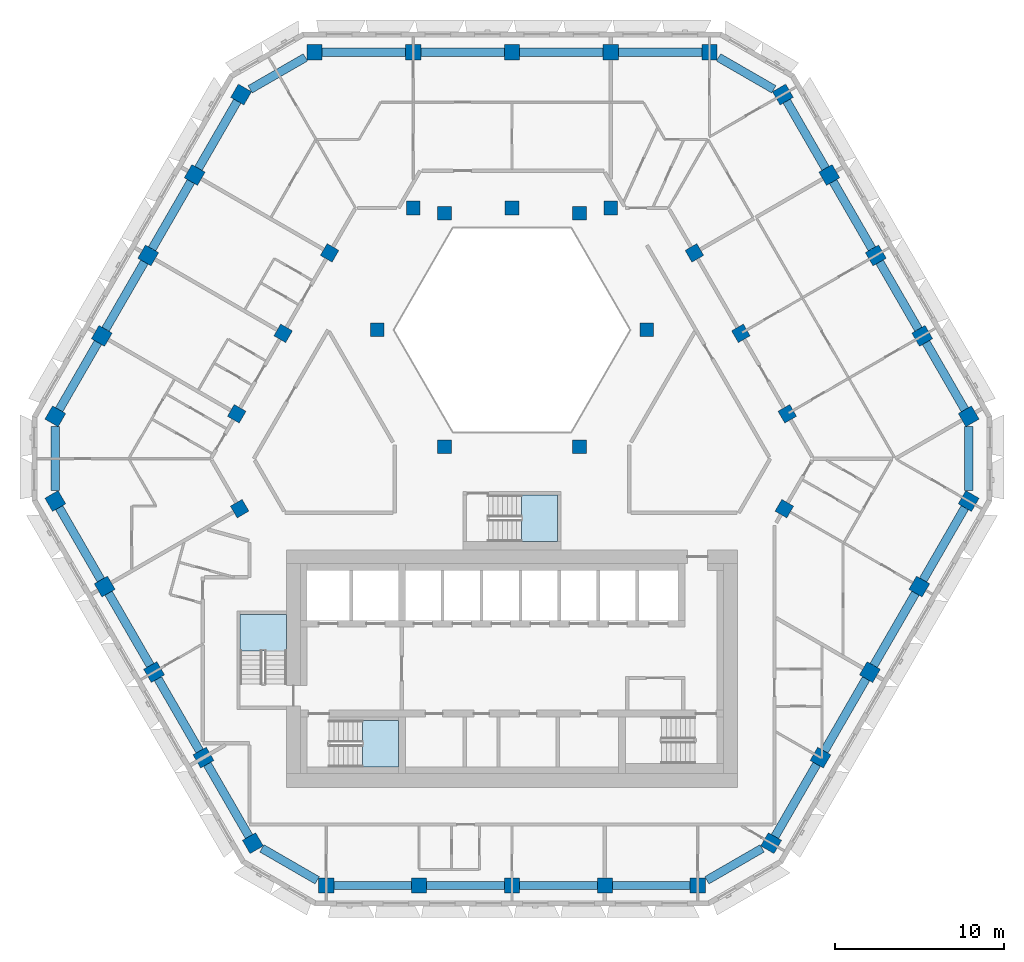
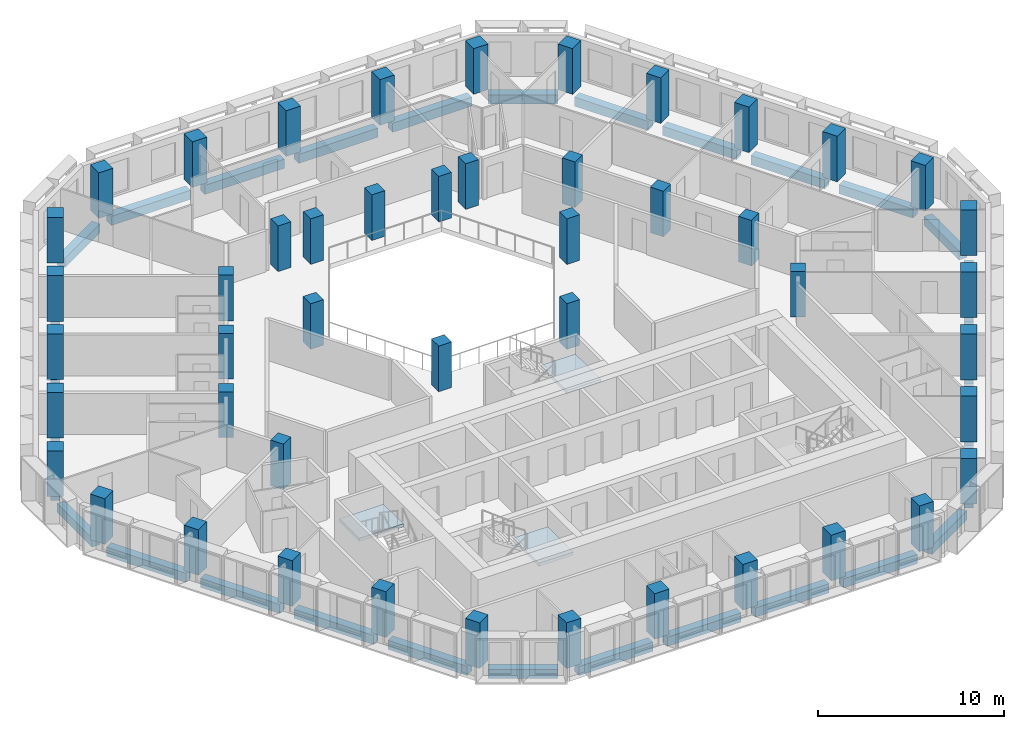
# One storey, part 1 of 17: 47 columns, 30 beams, 3 slabs, 3 elements without a shape of their own.
"""IFC4 building model written with IfcOpenShell, lengths in metres."""

from ifc_helpers import new_model, si_unit, direction, frame, origin, origin_2d, place, context, subcontext, project, spatial, polyline, rectangle, outline, extrude, material, layer, layer_set, material_profile, profile_set, type_object, element, aggregate, save


model = new_model("IFC4")

# Units and contexts
model_context = context("Model", 3, precision=1e-05, world=origin(), true_north=direction((0.0, 1.0)))
body_context = subcontext(model_context, "Body", "Model", "MODEL_VIEW")
ifc_project = project(units=[si_unit("LENGTHUNIT", "METRE"), si_unit("AREAUNIT", "SQUARE_METRE"), si_unit("VOLUMEUNIT", "CUBIC_METRE"), si_unit("PLANEANGLEUNIT", "RADIAN"), si_unit("MASSUNIT", "GRAM", prefix="KILO")], contexts=[model_context])

# Site, building, storey
site_placement = place(None, origin())
site = spatial("IfcSite", under=ifc_project, at=site_placement, CompositionType="ELEMENT")
building_placement = place(site_placement, origin())
building = spatial("IfcBuilding", under=site, at=building_placement, Name="Beryl Residences", CompositionType="ELEMENT")
storey_placement = place(building_placement, frame((0.0, 0.0, 126.60009765625)))
storey = spatial("IfcBuildingStorey", under=building, at=storey_placement, Name="L38", CompositionType="ELEMENT", Elevation=126.60009765625)

# Columns
ifc_material_1 = material(Name="Concrete C60/75", Category="concrete")
ifc_material_profile_1 = material_profile(ifc_material_1, rectangle(XDim=0.89990234375, YDim=0.89990234375, at=origin_2d()))
ifc_profile_set_1 = profile_set([ifc_material_profile_1], Name="Concrete C60/75")
column_type_1 = type_object("IfcColumnType", Name="C3 tube column 900 x 900 C60/75", PredefinedType="COLUMN", material=ifc_profile_set_1)
for number, where, z_axis, x_axis, name in (
    (1, (11.662109375, 24.39990234375, 0.0), (0.0, 0.0, 1.0), (-1.0, 0.0, 0.0), "C3-N1 L38"),
    (2, (5.8310546875, 24.39990234375, 0.0), (0.0, 0.0, 1.0), (-1.0, 0.0, 0.0), "C3-N2 L38"),
    (3, (0.0, 24.39990234375, 0.0), (0.0, 0.0, 1.0), (-1.0, 0.0, 0.0), "C3-N3 L38"),
    (4, (-5.8310546875, 24.39990234375, 0.0), (0.0, 0.0, 1.0), (-1.0, 0.0, 0.0), "C3-N4 L38"),
    (5, (-11.662109375, 24.39990234375, 0.0), (0.0, 0.0, 1.0), (-1.0, 0.0, 0.0), "C3-N5 L38"),
    (6, (-15.992919921875, 21.89990234375, 0.0), (0.0, 0.0, 1.0), (-0.5, -0.866025403784, 0.0), "C3-NW1 L38"),
    (7, (-18.735107421875, 17.14990234375, 0.0), (0.0, 0.0, 1.0), (-0.5, -0.866025403784, 0.0), "C3-NW2 L38"),
    (8, (-21.47802734375, 12.39990234375, 0.0), (0.0, 0.0, 1.0), (-0.5, -0.866025403784, 0.0), "C3-NW3 L38"),
    (9, (-24.219970703125, 7.64990234375, 0.0), (0.0, 0.0, 1.0), (-0.5, -0.866025403784, 0.0), "C3-NW4 L38"),
    (10, (-26.962890625, 2.89990234375, 0.0), (0.0, 0.0, 1.0), (-0.5, -0.866025403784, 0.0), "C3-NW5 L38"),
    (11, (-26.9619140625, -2.10009765625, 0.0), (0.0, 0.0, 1.0), (0.5, -0.866025403784, 0.0), "C3-SW1 L38"),
    (12, (-24.047119140625, -7.14892578125, 0.0), (0.0, 0.0, 1.0), (0.5, -0.866025403784, 0.0), "C3-SW2 L38"),
    (13, (-21.131103515625, -12.198974609375, 0.0), (0.0, 0.0, 1.0), (0.5, -0.866025403784, 0.0), "C3-SW3 L38"),
    (14, (-18.216064453125, -17.2490234375, 0.0), (0.0, 0.0, 1.0), (0.5, -0.866025403784, 0.0), "C3-SW4 L38"),
    (15, (-15.300048828125, -22.299072265625, 0.0), (0.0, 0.0, 1.0), (0.5, -0.866025403784, 0.0), "C3-SW5 L38"),
    (16, (-10.968994140625, -24.800048828125, 0.0), (0.0, 0.0, 1.0), (1.0, 0.0, 0.0), "C3-S1 L38"),
    (17, (-5.48388671875, -24.800048828125, 0.0), (0.0, 0.0, 1.0), (1.0, 0.0, 0.0), "C3-S2 L38"),
    (18, (0.0009765625, -24.800048828125, 0.0), (0.0, 0.0, 1.0), (1.0, 0.0, 0.0), "C3-S3 L38"),
    (19, (5.486083984375, -24.800048828125, 0.0), (0.0, 0.0, 1.0), (1.0, 0.0, 0.0), "C3-S4 L38"),
    (20, (10.970947265625, -24.800048828125, 0.0), (0.0, 0.0, 1.0), (1.0, 0.0, 0.0), "C3-S5 L38"),
    (21, (15.299072265625, -22.300048828125, 0.0), (0.0, 0.0, 1.0), (0.5, 0.866025403784, 0.0), "C3-SE1 L38"),
    (22, (18.215087890625, -17.2509765625, 0.0), (0.0, 0.0, 1.0), (0.5, 0.866025403784, 0.0), "C3-SE2 L38"),
    (23, (21.1298828125, -12.200927734375, 0.0), (0.0, 0.0, 1.0), (0.5, 0.866025403784, 0.0), "C3-SE3 L38"),
    (24, (24.0458984375, -7.15087890625, 0.0), (0.0, 0.0, 1.0), (0.5, 0.866025403784, 0.0), "C3-SE4 L38"),
    (25, (26.9609375, -2.10107421875, 0.0), (0.0, 0.0, 1.0), (0.5, 0.866025403784, 0.0), "C3-SE5 L38"),
    (26, (26.962890625, 2.89990234375, 0.0), (0.0, 0.0, 1.0), (-0.5, 0.866025403784, 0.0), "C3-NE1 L38"),
    (27, (24.219970703125, 7.64990234375, 0.0), (0.0, 0.0, 1.0), (-0.5, 0.866025403784, 0.0), "C3-NE2 L38"),
    (28, (21.47802734375, 12.39990234375, 0.0), (0.0, 0.0, 1.0), (-0.5, 0.866025403784, 0.0), "C3-NE3 L38"),
    (29, (18.735107421875, 17.14990234375, 0.0), (0.0, 0.0, 1.0), (-0.5, 0.866025403784, 0.0), "C3-NE4 L38"),
    (30, (15.992919921875, 21.89990234375, 0.0), (0.0, 0.0, 1.0), (-0.5, 0.866025403784, 0.0), "C3-NE5 L38"),
):
    element("IfcColumn", number, at=place(storey_placement, frame(where, z_axis=z_axis, x_axis=x_axis)), inside=storey, type_object=column_type_1, Name=name, PredefinedType="COLUMN", context=body_context, shape_type="SweptSolid", body=[
        extrude(rectangle(XDim=0.89990234375, YDim=0.89990234375, at=origin_2d()), origin(), (0.0, 0.0, 1.0), 3.0),
    ])
ifc_material_2 = material(Name="Concrete C60/75", Category="concrete")
ifc_material_profile_2 = material_profile(ifc_material_2, rectangle(XDim=0.800048828125, YDim=0.800048828125, at=origin_2d()))
ifc_profile_set_2 = profile_set([ifc_material_profile_2], Name="Concrete C60/75")
column_type_2 = type_object("IfcColumnType", Name="IC3 interior column 800 x 800 C60/75", PredefinedType="COLUMN", material=ifc_profile_set_2)
for number, where, z_axis, x_axis, name in (
    (31, (-16.0791015625, -2.549072265625, 0.0), (0.0, 0.0, 1.0), (0.5, -0.866025403784, 0.0), "IC3-M01 L38"),
    (32, (16.077880859375, -2.551025390625, 0.0), (0.0, 0.0, 1.0), (0.5, 0.866025403784, 0.0), "IC3-M02 L38"),
    (33, (16.2529296875, 3.050048828125, 0.0), (0.0, 0.0, 1.0), (-0.5, 0.866025403784, 0.0), "IC3-M03 L38"),
    (34, (3.98388671875, 1.10009765625, 0.0), (0.0, 0.0, 1.0), (1.0, 0.0, 0.0), "IC3-A04 L38"),
    (35, (13.510009765625, 7.800048828125, 0.0), (0.0, 0.0, 1.0), (-0.5, 0.866025403784, 0.0), "IC3-M05 L38"),
    (36, (7.967041015625, 8.0, 0.0), (0.0, 0.0, 1.0), (1.0, 0.0, 0.0), "IC3-A06 L38"),
    (37, (10.76806640625, 12.550048828125, 0.0), (0.0, 0.0, 1.0), (-0.5, 0.866025403784, 0.0), "IC3-M07 L38"),
    (38, (5.8310546875, 15.199951171875, 0.0), (0.0, 0.0, 1.0), (-1.0, 0.0, 0.0), "IC3-M08 L38"),
    (39, (3.98388671875, 14.89990234375, 0.0), (0.0, 0.0, 1.0), (1.0, 0.0, 0.0), "IC3-A09 L38"),
    (40, (0.0, 15.199951171875, 0.0), (0.0, 0.0, 1.0), (-1.0, 0.0, 0.0), "IC3-M10 L38"),
    (41, (-3.98388671875, 14.89990234375, 0.0), (0.0, 0.0, 1.0), (1.0, 0.0, 0.0), "IC3-A11 L38"),
    (42, (-5.8310546875, 15.199951171875, 0.0), (0.0, 0.0, 1.0), (-1.0, 0.0, 0.0), "IC3-M12 L38"),
    (43, (-10.76806640625, 12.550048828125, 0.0), (0.0, 0.0, 1.0), (-0.5, -0.866025403784, 0.0), "IC3-M13 L38"),
    (44, (-7.967041015625, 8.0, 0.0), (0.0, 0.0, 1.0), (1.0, 0.0, 0.0), "IC3-A14 L38"),
    (45, (-13.510009765625, 7.800048828125, 0.0), (0.0, 0.0, 1.0), (-0.5, -0.866025403784, 0.0), "IC3-M15 L38"),
    (46, (-3.98388671875, 1.10009765625, 0.0), (0.0, 0.0, 1.0), (1.0, 0.0, 0.0), "IC3-A16 L38"),
    (47, (-16.2529296875, 3.050048828125, 0.0), (0.0, 0.0, 1.0), (-0.5, -0.866025403784, 0.0), "IC3-M17 L38"),
):
    element("IfcColumn", number, at=place(storey_placement, frame(where, z_axis=z_axis, x_axis=x_axis)), inside=storey, type_object=column_type_2, Name=name, PredefinedType="COLUMN", context=body_context, shape_type="SweptSolid", body=[
        extrude(rectangle(XDim=0.800048828125, YDim=0.800048828125, at=origin_2d()), origin(), (0.0, 0.0, 1.0), 3.0),
    ])

# Beams
ifc_material_3 = material(Name="Concrete C60/75", Category="concrete")
ifc_material_profile_3 = material_profile(ifc_material_3, rectangle(XDim=0.5, YDim=0.60009765625, at=origin_2d()))
ifc_profile_set_3 = profile_set([ifc_material_profile_3], Name="Concrete C60/75")
beam_type = type_object("IfcBeamType", Name="SB3 spandrel beam 500 x 600 C60/75", PredefinedType="SPANDREL", material=ifc_profile_set_3)
beam_1_placement = place(storey_placement, frame((11.2119140625, 24.39990234375, -0.60009765625), z_axis=(-1.0, 0.0, 0.0), x_axis=(0.0, -1.0, 0.0)))
element("IfcBeam", 48, at=beam_1_placement, inside=storey, type_object=beam_type, Name="SB3 L38 N-0", PredefinedType="SPANDREL", context=body_context, shape_type="SweptSolid", body=[
    extrude(rectangle(XDim=0.5, YDim=0.60009765625, at=origin_2d()), origin(), (0.0, 0.0, 1.0), 4.930908203125),
])
for number, where, z_axis, x_axis, name in (
    (49, (5.381103515625, 24.39990234375, -0.60009765625), (-1.0, 0.0, 0.0), (0.0, -1.0, 0.0), "SB3 L38 N-1"),
    (50, (-0.449951171875, 24.39990234375, -0.60009765625), (-1.0, 0.0, 0.0), (0.0, -1.0, 0.0), "SB3 L38 N-2"),
):
    element("IfcBeam", number, at=place(storey_placement, frame(where, z_axis=z_axis, x_axis=x_axis)), inside=storey, type_object=beam_type, Name=name, PredefinedType="SPANDREL", context=body_context, shape_type="SweptSolid", body=[
        extrude(rectangle(XDim=0.5, YDim=0.60009765625, at=origin_2d()), origin(), (0.0, 0.0, 1.0), 4.93115234375),
    ])
beam_2_placement = place(storey_placement, frame((-6.281005859375, 24.39990234375, -0.60009765625), z_axis=(-1.0, 0.0, 0.0), x_axis=(0.0, -1.0, 0.0)))
element("IfcBeam", 51, at=beam_2_placement, inside=storey, type_object=beam_type, Name="SB3 L38 N-3", PredefinedType="SPANDREL", context=body_context, shape_type="SweptSolid", body=[
    extrude(rectangle(XDim=0.5, YDim=0.60009765625, at=origin_2d()), origin(), (0.0, 0.0, 1.0), 4.930908203125),
])
beam_3_placement = place(storey_placement, frame((-12.194091796875, 24.093017578125, -0.60009765625), z_axis=(-0.866040087317, -0.499974566514, 0.0), x_axis=(0.499974566514, -0.866040087317, 0.0)))
element("IfcBeam", 52, at=beam_3_placement, inside=storey, type_object=beam_type, Name="SB3 L38 N-4", PredefinedType="SPANDREL", context=body_context, shape_type="SweptSolid", body=[
    extrude(rectangle(XDim=0.5, YDim=0.60009765625, at=origin_2d()), origin(), (0.0, 0.0, 1.0), 3.772216796875),
])
beam_4_placement = place(storey_placement, frame((-16.218017578125, 21.510009765625, -0.60009765625), z_axis=(-0.49998830735, -0.866032154434, 0.0), x_axis=(0.866032154434, -0.49998830735, 0.0)))
element("IfcBeam", 53, at=beam_4_placement, inside=storey, type_object=beam_type, Name="SB3 L38 NW-0", PredefinedType="SPANDREL", context=body_context, shape_type="SweptSolid", body=[
    extrude(rectangle(XDim=0.5, YDim=0.60009765625, at=origin_2d()), origin(), (0.0, 0.0, 1.0), 4.583984375),
])
beam_5_placement = place(storey_placement, frame((-18.9599609375, 16.760009765625, -0.60009765625), z_axis=(-0.500148059018, -0.865939904993, 0.0), x_axis=(0.865939904993, -0.500148059018, 0.0)))
element("IfcBeam", 54, at=beam_5_placement, inside=storey, type_object=beam_type, Name="SB3 L38 NW-1", PredefinedType="SPANDREL", context=body_context, shape_type="SweptSolid", body=[
    extrude(rectangle(XDim=0.5, YDim=0.60009765625, at=origin_2d()), origin(), (0.0, 0.0, 1.0), 4.58447265625),
])
beam_6_placement = place(storey_placement, frame((-21.702880859375, 12.010009765625, -0.60009765625), z_axis=(-0.500028250054, -0.866009092994, 0.0), x_axis=(0.866009092994, -0.500028250054, 0.0)))
element("IfcBeam", 55, at=beam_6_placement, inside=storey, type_object=beam_type, Name="SB3 L38 NW-2", PredefinedType="SPANDREL", context=body_context, shape_type="SweptSolid", body=[
    extrude(rectangle(XDim=0.5, YDim=0.60009765625, at=origin_2d()), origin(), (0.0, 0.0, 1.0), 4.584228515625),
])
beam_7_placement = place(storey_placement, frame((-24.445068359375, 7.260009765625, -0.60009765625), z_axis=(-0.500148059018, -0.865939904993, 0.0), x_axis=(0.865939904993, -0.500148059018, 0.0)))
element("IfcBeam", 56, at=beam_7_placement, inside=storey, type_object=beam_type, Name="SB3 L38 NW-3", PredefinedType="SPANDREL", context=body_context, shape_type="SweptSolid", body=[
    extrude(rectangle(XDim=0.5, YDim=0.60009765625, at=origin_2d()), origin(), (0.0, 0.0, 1.0), 4.58447265625),
])
beam_8_placement = place(storey_placement, frame((-26.962890625, 2.285888671875, -0.60009765625), z_axis=(0.000258899668, -0.999999966485, 0.0), x_axis=(0.999999966485, 0.000258899668, 0.0)))
element("IfcBeam", 57, at=beam_8_placement, inside=storey, type_object=beam_type, Name="SB3 L38 NW-4", PredefinedType="SPANDREL", context=body_context, shape_type="SweptSolid", body=[
    extrude(rectangle(XDim=0.5, YDim=0.60009765625, at=origin_2d()), origin(), (0.0, 0.0, 1.0), 3.77197265625),
])
beam_9_placement = place(storey_placement, frame((-26.737060546875, -2.489990234375, -0.60009765625), z_axis=(0.50005397607, -0.865994238443, 0.0), x_axis=(0.865994238443, 0.50005397607, 0.0)))
element("IfcBeam", 58, at=beam_9_placement, inside=storey, type_object=beam_type, Name="SB3 L38 SW-0", PredefinedType="SPANDREL", context=body_context, shape_type="SweptSolid", body=[
    extrude(rectangle(XDim=0.5, YDim=0.60009765625, at=origin_2d()), origin(), (0.0, 0.0, 1.0), 4.9296875),
])
beam_10_placement = place(storey_placement, frame((-23.822021484375, -7.5390625, -0.60009765625), z_axis=(0.500116736097, -0.865957995677, 0.0), x_axis=(0.865957995677, 0.500116736097, 0.0)))
element("IfcBeam", 59, at=beam_10_placement, inside=storey, type_object=beam_type, Name="SB3 L38 SW-1", PredefinedType="SPANDREL", context=body_context, shape_type="SweptSolid", body=[
    extrude(rectangle(XDim=0.5, YDim=0.60009765625, at=origin_2d()), origin(), (0.0, 0.0, 1.0), 4.930908203125),
])
beam_11_placement = place(storey_placement, frame((-20.906005859375, -12.589111328125, -0.60009765625), z_axis=(0.499989643469, -0.866031383048, 0.0), x_axis=(0.866031383048, 0.499989643469, 0.0)))
element("IfcBeam", 60, at=beam_11_placement, inside=storey, type_object=beam_type, Name="SB3 L38 SW-2", PredefinedType="SPANDREL", context=body_context, shape_type="SweptSolid", body=[
    extrude(rectangle(XDim=0.5, YDim=0.60009765625, at=origin_2d()), origin(), (0.0, 0.0, 1.0), 4.93017578125),
])
beam_12_placement = place(storey_placement, frame((-17.990966796875, -17.638916015625, -0.60009765625), z_axis=(0.500116736097, -0.865957995677, 0.0), x_axis=(0.865957995677, 0.500116736097, 0.0)))
element("IfcBeam", 61, at=beam_12_placement, inside=storey, type_object=beam_type, Name="SB3 L38 SW-3", PredefinedType="SPANDREL", context=body_context, shape_type="SweptSolid", body=[
    extrude(rectangle(XDim=0.5, YDim=0.60009765625, at=origin_2d()), origin(), (0.0, 0.0, 1.0), 4.930908203125),
])
beam_13_placement = place(storey_placement, frame((-14.76806640625, -22.60595703125, -0.60009765625), z_axis=(0.865944170592, -0.500140673629, 0.0), x_axis=(0.500140673629, 0.865944170592, 0.0)))
element("IfcBeam", 62, at=beam_13_placement, inside=storey, type_object=beam_type, Name="SB3 L38 SW-4", PredefinedType="SPANDREL", context=body_context, shape_type="SweptSolid", body=[
    extrude(rectangle(XDim=0.5, YDim=0.60009765625, at=origin_2d()), origin(), (0.0, 0.0, 1.0), 3.77294921875),
])
for number, where, z_axis, x_axis, name in (
    (63, (-10.51904296875, -24.800048828125, -0.60009765625), (1.0, 0.0, 0.0), (0.0, 1.0, 0.0), "SB3 L38 S-0"),
    (64, (-5.033935546875, -24.800048828125, -0.60009765625), (1.0, 0.0, 0.0), (0.0, 1.0, 0.0), "SB3 L38 S-1"),
    (65, (0.450927734375, -24.800048828125, -0.60009765625), (1.0, 0.0, 0.0), (0.0, 1.0, 0.0), "SB3 L38 S-2"),
    (66, (5.93603515625, -24.800048828125, -0.60009765625), (1.0, 0.0, 0.0), (0.0, 1.0, 0.0), "SB3 L38 S-3"),
):
    element("IfcBeam", number, at=place(storey_placement, frame(where, z_axis=z_axis, x_axis=x_axis)), inside=storey, type_object=beam_type, Name=name, PredefinedType="SPANDREL", context=body_context, shape_type="SweptSolid", body=[
        extrude(rectangle(XDim=0.5, YDim=0.60009765625, at=origin_2d()), origin(), (0.0, 0.0, 1.0), 4.5849609375),
    ])
beam_14_placement = place(storey_placement, frame((11.5029296875, -24.492919921875, -0.60009765625), z_axis=(0.865861956233, 0.500282992663, 0.0), x_axis=(-0.500282992663, 0.865861956233, 0.0)))
element("IfcBeam", 67, at=beam_14_placement, inside=storey, type_object=beam_type, Name="SB3 L38 S-4", PredefinedType="SPANDREL", context=body_context, shape_type="SweptSolid", body=[
    extrude(rectangle(XDim=0.5, YDim=0.60009765625, at=origin_2d()), origin(), (0.0, 0.0, 1.0), 3.769775390625),
])
beam_15_placement = place(storey_placement, frame((15.52392578125, -21.909912109375, -0.60009765625), z_axis=(0.500223967704, 0.86589605735, 0.0), x_axis=(-0.86589605735, 0.500223967704, 0.0)))
element("IfcBeam", 68, at=beam_15_placement, inside=storey, type_object=beam_type, Name="SB3 L38 SE-0", PredefinedType="SPANDREL", context=body_context, shape_type="SweptSolid", body=[
    extrude(rectangle(XDim=0.5, YDim=0.60009765625, at=origin_2d()), origin(), (0.0, 0.0, 1.0), 4.929931640625),
])
beam_16_placement = place(storey_placement, frame((18.43994140625, -16.861083984375, -0.60009765625), z_axis=(0.499968202334, 0.866043761397, 0.0), x_axis=(-0.866043761397, 0.499968202334, 0.0)))
element("IfcBeam", 69, at=beam_16_placement, inside=storey, type_object=beam_type, Name="SB3 L38 SE-1", PredefinedType="SPANDREL", context=body_context, shape_type="SweptSolid", body=[
    extrude(rectangle(XDim=0.5, YDim=0.60009765625, at=origin_2d()), origin(), (0.0, 0.0, 1.0), 4.930419921875),
])
beam_17_placement = place(storey_placement, frame((21.35498046875, -11.81103515625, -0.60009765625), z_axis=(0.500116736097, 0.865957995677, 0.0), x_axis=(-0.865957995677, 0.500116736097, 0.0)))
element("IfcBeam", 70, at=beam_17_placement, inside=storey, type_object=beam_type, Name="SB3 L38 SE-2", PredefinedType="SPANDREL", context=body_context, shape_type="SweptSolid", body=[
    extrude(rectangle(XDim=0.5, YDim=0.60009765625, at=origin_2d()), origin(), (0.0, 0.0, 1.0), 4.930908203125),
])
beam_18_placement = place(storey_placement, frame((24.27099609375, -6.760986328125, -0.60009765625), z_axis=(0.499968202334, 0.866043761397, 0.0), x_axis=(-0.866043761397, 0.499968202334, 0.0)))
element("IfcBeam", 71, at=beam_18_placement, inside=storey, type_object=beam_type, Name="SB3 L38 SE-3", PredefinedType="SPANDREL", context=body_context, shape_type="SweptSolid", body=[
    extrude(rectangle(XDim=0.5, YDim=0.60009765625, at=origin_2d()), origin(), (0.0, 0.0, 1.0), 4.930419921875),
])
beam_19_placement = place(storey_placement, frame((26.9609375, -1.487060546875, -0.60009765625), z_axis=(0.00051766526, 0.999999866011, 0.0), x_axis=(-0.999999866011, 0.00051766526, 0.0)))
element("IfcBeam", 72, at=beam_19_placement, inside=storey, type_object=beam_type, Name="SB3 L38 SE-4", PredefinedType="SPANDREL", context=body_context, shape_type="SweptSolid", body=[
    extrude(rectangle(XDim=0.5, YDim=0.60009765625, at=origin_2d()), origin(), (0.0, 0.0, 1.0), 3.77294921875),
])
beam_20_placement = place(storey_placement, frame((26.738037109375, 3.2900390625, -0.60009765625), z_axis=(-0.500148059018, 0.865939904993, 0.0), x_axis=(-0.865939904993, -0.500148059018, 0.0)))
element("IfcBeam", 73, at=beam_20_placement, inside=storey, type_object=beam_type, Name="SB3 L38 NE-0", PredefinedType="SPANDREL", context=body_context, shape_type="SweptSolid", body=[
    extrude(rectangle(XDim=0.5, YDim=0.60009765625, at=origin_2d()), origin(), (0.0, 0.0, 1.0), 4.58447265625),
])
beam_21_placement = place(storey_placement, frame((23.9951171875, 8.0400390625, -0.60009765625), z_axis=(-0.500028250054, 0.866009092994, 0.0), x_axis=(-0.866009092994, -0.500028250054, 0.0)))
element("IfcBeam", 74, at=beam_21_placement, inside=storey, type_object=beam_type, Name="SB3 L38 NE-1", PredefinedType="SPANDREL", context=body_context, shape_type="SweptSolid", body=[
    extrude(rectangle(XDim=0.5, YDim=0.60009765625, at=origin_2d()), origin(), (0.0, 0.0, 1.0), 4.584228515625),
])
beam_22_placement = place(storey_placement, frame((21.2529296875, 12.7900390625, -0.60009765625), z_axis=(-0.500148059018, 0.865939904993, 0.0), x_axis=(-0.865939904993, -0.500148059018, 0.0)))
element("IfcBeam", 75, at=beam_22_placement, inside=storey, type_object=beam_type, Name="SB3 L38 NE-2", PredefinedType="SPANDREL", context=body_context, shape_type="SweptSolid", body=[
    extrude(rectangle(XDim=0.5, YDim=0.60009765625, at=origin_2d()), origin(), (0.0, 0.0, 1.0), 4.58447265625),
])
beam_23_placement = place(storey_placement, frame((18.510009765625, 17.5400390625, -0.60009765625), z_axis=(-0.49998830735, 0.866032154434, 0.0), x_axis=(-0.866032154434, -0.49998830735, 0.0)))
element("IfcBeam", 76, at=beam_23_placement, inside=storey, type_object=beam_type, Name="SB3 L38 NE-3", PredefinedType="SPANDREL", context=body_context, shape_type="SweptSolid", body=[
    extrude(rectangle(XDim=0.5, YDim=0.60009765625, at=origin_2d()), origin(), (0.0, 0.0, 1.0), 4.583984375),
])
beam_24_placement = place(storey_placement, frame((15.4609375, 22.20703125, -0.60009765625), z_axis=(-0.866040087317, 0.499974566514, 0.0), x_axis=(-0.499974566514, -0.866040087317, 0.0)))
element("IfcBeam", 77, at=beam_24_placement, inside=storey, type_object=beam_type, Name="SB3 L38 NE-4", PredefinedType="SPANDREL", context=body_context, shape_type="SweptSolid", body=[
    extrude(rectangle(XDim=0.5, YDim=0.60009765625, at=origin_2d()), origin(), (0.0, 0.0, 1.0), 3.772216796875),
])

# Stair, slab
ifc_material_4 = material(Name="Concrete C40/50", Category="concrete")
stair_type = type_object("IfcStairType", Name="ST1 protected exit stair, half-turn, 1300 mm flights", PredefinedType="HALF_TURN_STAIR", material=ifc_material_4)
stair_1_placement = place(storey_placement, origin())
stair_1 = element("IfcStair", 78, at=stair_1_placement, inside=storey, type_object=stair_type, Name="L38 PROTECTED EXIT STAIR ST-1", PredefinedType="HALF_TURN_STAIR")
ifc_material_5 = material(Name="Concrete C40/50", Category="concrete")
ifc_layer = layer(ifc_material_5, 0.199951171875)
ifc_layer_set = layer_set([ifc_layer], Name="SLD1 stair landing 200 mm")
slab_type = type_object("IfcSlabType", Name="SLD1 stair landing 200 mm", PredefinedType="LANDING", material=ifc_layer_set)
slab_1_placement = place(storey_placement, frame((0.0, 0.0, 1.2998046875)))
slab_1 = element("IfcSlab", 79, at=slab_1_placement, type_object=slab_type, Name="ST-1 landing 1", PredefinedType="LANDING", context=body_context, shape_type="SweptSolid", body=[
    extrude(outline(polyline([(-8.840087890625, -17.800048828125), (-6.699951171875, -17.800048828125), (-6.699951171875, -15.050048828125), (-8.840087890625, -15.050048828125), (-8.840087890625, -17.800048828125)])), origin(), (0.0, 0.0, 1.0), 0.2001953125),
])
aggregate(stair_1, [slab_1])

stair_2_placement = place(storey_placement, origin())
stair_2 = element("IfcStair", 80, at=stair_2_placement, inside=storey, type_object=stair_type, Name="L38 PROTECTED EXIT STAIR ST-2", PredefinedType="HALF_TURN_STAIR")
slab_2_placement = place(storey_placement, frame((0.0, 0.0, 1.2998046875)))
slab_2 = element("IfcSlab", 81, at=slab_2_placement, type_object=slab_type, Name="ST-2 landing 1", PredefinedType="LANDING", context=body_context, shape_type="SweptSolid", body=[
    extrude(outline(polyline([(-13.300048828125, -10.93994140625), (-13.300048828125, -8.800048828125), (-16.050048828125, -8.800048828125), (-16.050048828125, -10.93994140625), (-13.300048828125, -10.93994140625)])), origin(), (0.0, 0.0, 1.0), 0.2001953125),
])
aggregate(stair_2, [slab_2])

stair_3_placement = place(storey_placement, origin())
stair_3 = element("IfcStair", 82, at=stair_3_placement, inside=storey, type_object=stair_type, Name="L38 PROTECTED EXIT STAIR ST-4", PredefinedType="HALF_TURN_STAIR")
slab_3_placement = place(storey_placement, frame((0.0, 0.0, 1.2998046875)))
slab_3 = element("IfcSlab", 83, at=slab_3_placement, type_object=slab_type, Name="ST-4 landing 1", PredefinedType="LANDING", context=body_context, shape_type="SweptSolid", body=[
    extrude(outline(polyline([(0.56005859375, -4.5), (2.699951171875, -4.5), (2.699951171875, -1.75), (0.56005859375, -1.75), (0.56005859375, -4.5)])), origin(), (0.0, 0.0, 1.0), 0.2001953125),
])
aggregate(stair_3, [slab_3])

save(model, "model.ifc")
